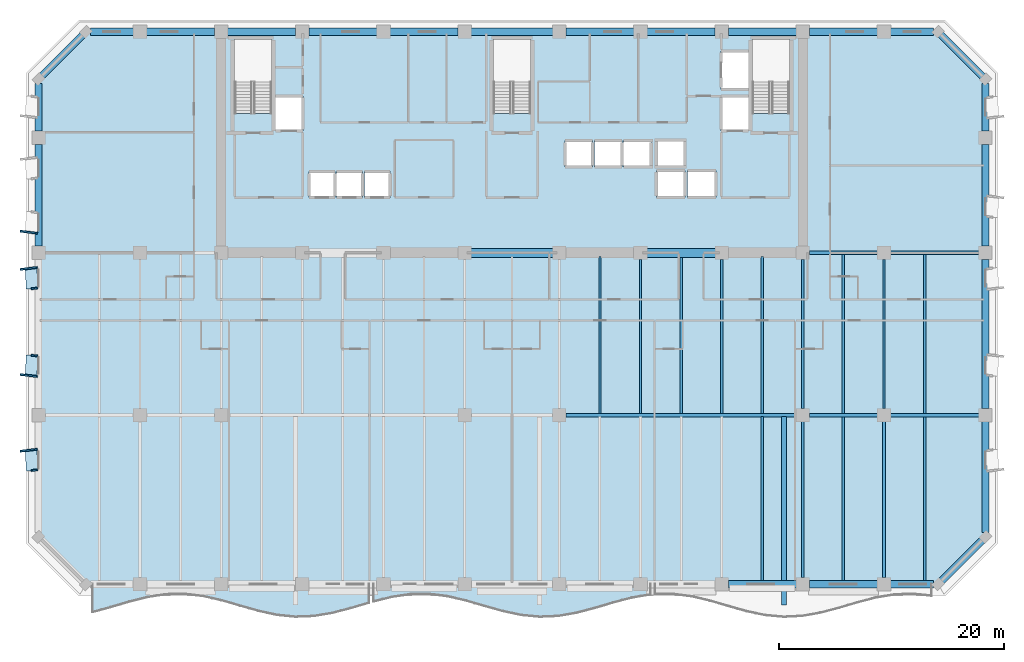
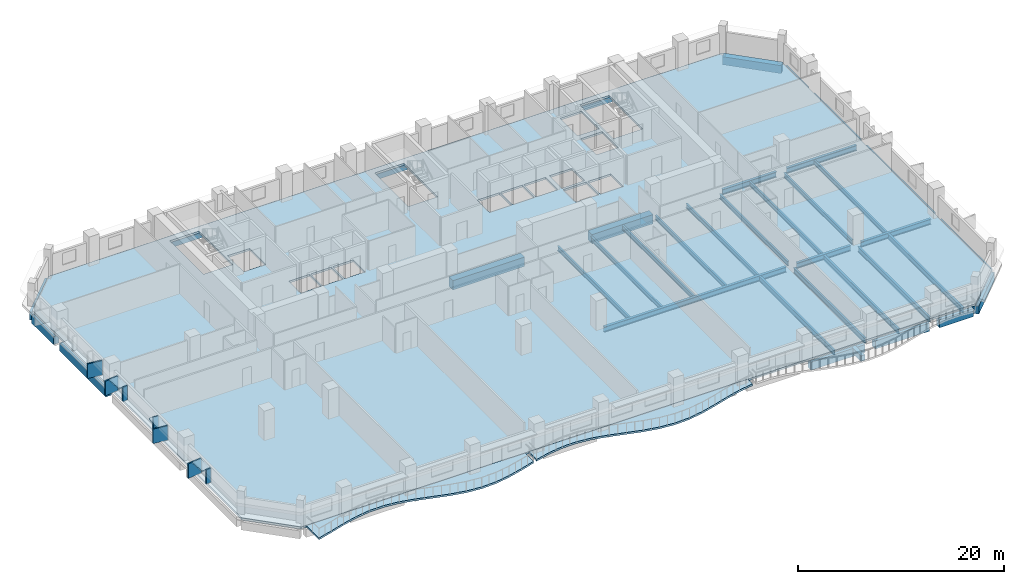
# One storey, part 2 of 15: 45 beams, 10 plates, 3 slabs.
"""IFC4 building model written with IfcOpenShell, lengths in metres."""

from ifc_helpers import new_model, si_unit, direction, frame, origin, origin_2d, place, context, subcontext, project, spatial, polyline, rectangle, i_section, outline, extrude, material, layer, layer_set, material_profile, profile_set, type_object, element, save


model = new_model("IFC4")

# Units and contexts
model_context = context("Model", 3, precision=1e-05, world=origin(), true_north=direction((0.0, 1.0)))
body_context = subcontext(model_context, "Body", "Model", "MODEL_VIEW")
ifc_project = project(units=[si_unit("LENGTHUNIT", "METRE"), si_unit("AREAUNIT", "SQUARE_METRE"), si_unit("VOLUMEUNIT", "CUBIC_METRE"), si_unit("PLANEANGLEUNIT", "RADIAN"), si_unit("MASSUNIT", "GRAM", prefix="KILO")], contexts=[model_context])

# Site, building, storey
site_placement = place(None, origin())
site = spatial("IfcSite", under=ifc_project, at=site_placement, CompositionType="ELEMENT")
building_placement = place(site_placement, origin())
building = spatial("IfcBuilding", under=site, at=building_placement, Name="Kaelvorn Grand Hotel", CompositionType="ELEMENT")
storey_placement = place(building_placement, frame((0.0, 0.0, 111.800048828125)))
storey = spatial("IfcBuildingStorey", under=building, at=storey_placement, Name="L26", CompositionType="ELEMENT", Elevation=111.800048828125)

# Beams
ifc_material_1 = material(Name="Steel S355", Category="steel")
ifc_material_profile_1 = material_profile(ifc_material_1, i_section(OverallWidth=0.300048828125, OverallDepth=0.64990234375, WebThickness=0.01611328125, FlangeThickness=0.031005859375, FilletRadius=0.027099609375, at=origin_2d()), Name="HEB 650")
ifc_profile_set_1 = profile_set([ifc_material_profile_1], Name="Steel S355")
beam_type_1 = type_object("IfcBeamType", Name="BM-G-HEB650-S355", PredefinedType="BEAM", material=ifc_profile_set_1)
beam_1_placement = place(storey_placement, frame((46.784912109375, 15.0, -0.56494140625), z_axis=(1.0, 0.0, 0.0), x_axis=(0.0, 1.0, 0.0)))
element("IfcBeam", 1, at=beam_1_placement, inside=storey, type_object=beam_type_1, Name="L26 Primary Spine Steel Girder G-15 05", PredefinedType="BEAM", context=body_context, shape_type="SweptSolid", body=[
    extrude(i_section(OverallWidth=0.300048828125, OverallDepth=0.64990234375, WebThickness=0.01611328125, FlangeThickness=0.031005859375, FilletRadius=0.027099609375, at=origin_2d()), origin(), (0.0, 0.0, 1.0), 20.43017578125),
])
beam_2_placement = place(storey_placement, frame((68.385009765625, 15.0, -0.56494140625), z_axis=(1.0, 0.0, 0.0), x_axis=(0.0, 1.0, 0.0)))
element("IfcBeam", 2, at=beam_2_placement, inside=storey, type_object=beam_type_1, Name="L26 Primary Spine Steel Girder G-15 06", PredefinedType="BEAM", context=body_context, shape_type="SweptSolid", body=[
    extrude(i_section(OverallWidth=0.300048828125, OverallDepth=0.64990234375, WebThickness=0.01611328125, FlangeThickness=0.031005859375, FilletRadius=0.027099609375, at=origin_2d()), origin(), (0.0, 0.0, 1.0), 6.030029296875),
])
beam_3_placement = place(storey_placement, frame((75.5849609375, 15.0, -0.56494140625), z_axis=(1.0, 0.0, 0.0), x_axis=(0.0, 1.0, 0.0)))
element("IfcBeam", 3, at=beam_3_placement, inside=storey, type_object=beam_type_1, Name="L26 Primary Spine Steel Girder G-15 07", PredefinedType="BEAM", context=body_context, shape_type="SweptSolid", body=[
    extrude(i_section(OverallWidth=0.300048828125, OverallDepth=0.64990234375, WebThickness=0.01611328125, FlangeThickness=0.031005859375, FilletRadius=0.027099609375, at=origin_2d()), origin(), (0.0, 0.0, 1.0), 7.830078125),
])
beam_4_placement = place(storey_placement, frame((68.385009765625, 29.39990234375, -0.56494140625), z_axis=(1.0, 0.0, 0.0), x_axis=(0.0, 1.0, 0.0)))
element("IfcBeam", 4, at=beam_4_placement, inside=storey, type_object=beam_type_1, Name="L26 East Core Wing Steel Girder G-29E 01", PredefinedType="BEAM", context=body_context, shape_type="SweptSolid", body=[
    extrude(i_section(OverallWidth=0.300048828125, OverallDepth=0.64990234375, WebThickness=0.01611328125, FlangeThickness=0.031005859375, FilletRadius=0.027099609375, at=origin_2d()), origin(), (0.0, 0.0, 1.0), 6.030029296875),
])
beam_5_placement = place(storey_placement, frame((75.5849609375, 29.39990234375, -0.56494140625), z_axis=(1.0, 0.0, 0.0), x_axis=(0.0, 1.0, 0.0)))
element("IfcBeam", 5, at=beam_5_placement, inside=storey, type_object=beam_type_1, Name="L26 East Core Wing Steel Girder G-29E 02", PredefinedType="BEAM", context=body_context, shape_type="SweptSolid", body=[
    extrude(i_section(OverallWidth=0.300048828125, OverallDepth=0.64990234375, WebThickness=0.01611328125, FlangeThickness=0.031005859375, FilletRadius=0.027099609375, at=origin_2d()), origin(), (0.0, 0.0, 1.0), 7.830078125),
])
ifc_material_profile_2 = material_profile(ifc_material_1, i_section(OverallWidth=0.209228515625, OverallDepth=0.533203125, WebThickness=0.010009765625, FlangeThickness=0.015625, FilletRadius=0.0126953125, at=origin_2d()), Name="UB 533x210x92")
ifc_profile_set_2 = profile_set([ifc_material_profile_2], Name="Steel S355")
beam_type_2 = type_object("IfcBeamType", Name="BM-J-UB533-S355", PredefinedType="JOIST", material=ifc_profile_set_2)
beam_6_placement = place(storey_placement, frame((49.800048828125, 15.135009765625, -0.506591796875), z_axis=(0.0, 1.0, 0.0), x_axis=(-1.0, 0.0, 0.0)))
element("IfcBeam", 6, at=beam_6_placement, inside=storey, type_object=beam_type_2, Name="L26 Composite Floor Joist JM-14", PredefinedType="JOIST", context=body_context, shape_type="SweptSolid", body=[
    extrude(i_section(OverallWidth=0.209228515625, OverallDepth=0.533203125, WebThickness=0.010009765625, FlangeThickness=0.015625, FilletRadius=0.0126953125, at=origin_2d()), origin(), (0.0, 0.0, 1.0), 13.925048828125),
])
beam_7_placement = place(storey_placement, frame((53.39990234375, 15.135009765625, -0.506591796875), z_axis=(0.0, 1.0, 0.0), x_axis=(-1.0, 0.0, 0.0)))
element("IfcBeam", 7, at=beam_7_placement, inside=storey, type_object=beam_type_2, Name="L26 Composite Floor Joist JM-15", PredefinedType="JOIST", context=body_context, shape_type="SweptSolid", body=[
    extrude(i_section(OverallWidth=0.209228515625, OverallDepth=0.533203125, WebThickness=0.010009765625, FlangeThickness=0.015625, FilletRadius=0.0126953125, at=origin_2d()), origin(), (0.0, 0.0, 1.0), 13.679931640625),
])
beam_8_placement = place(storey_placement, frame((57.0, 15.135009765625, -0.506591796875), z_axis=(0.0, 1.0, 0.0), x_axis=(-1.0, 0.0, 0.0)))
element("IfcBeam", 8, at=beam_8_placement, inside=storey, type_object=beam_type_2, Name="L26 Composite Floor Joist JM-16", PredefinedType="JOIST", context=body_context, shape_type="SweptSolid", body=[
    extrude(i_section(OverallWidth=0.209228515625, OverallDepth=0.533203125, WebThickness=0.010009765625, FlangeThickness=0.015625, FilletRadius=0.0126953125, at=origin_2d()), origin(), (0.0, 0.0, 1.0), 13.925048828125),
])
beam_9_placement = place(storey_placement, frame((60.60009765625, 15.135009765625, -0.506591796875), z_axis=(0.0, 1.0, 0.0), x_axis=(-1.0, 0.0, 0.0)))
element("IfcBeam", 9, at=beam_9_placement, inside=storey, type_object=beam_type_2, Name="L26 Composite Floor Joist JM-17", PredefinedType="JOIST", context=body_context, shape_type="SweptSolid", body=[
    extrude(i_section(OverallWidth=0.209228515625, OverallDepth=0.533203125, WebThickness=0.010009765625, FlangeThickness=0.015625, FilletRadius=0.0126953125, at=origin_2d()), origin(), (0.0, 0.0, 1.0), 13.679931640625),
])
beam_10_placement = place(storey_placement, frame((64.199951171875, 15.135009765625, -0.506591796875), z_axis=(0.0, 1.0, 0.0), x_axis=(-1.0, 0.0, 0.0)))
element("IfcBeam", 10, at=beam_10_placement, inside=storey, type_object=beam_type_2, Name="L26 Composite Floor Joist JM-18", PredefinedType="JOIST", context=body_context, shape_type="SweptSolid", body=[
    extrude(i_section(OverallWidth=0.209228515625, OverallDepth=0.533203125, WebThickness=0.010009765625, FlangeThickness=0.015625, FilletRadius=0.0126953125, at=origin_2d()), origin(), (0.0, 0.0, 1.0), 13.925048828125),
])
beam_11_placement = place(storey_placement, frame((67.800048828125, 15.5849609375, -0.506591796875), z_axis=(0.0, 1.0, 0.0), x_axis=(-1.0, 0.0, 0.0)))
element("IfcBeam", 11, at=beam_11_placement, inside=storey, type_object=beam_type_2, Name="L26 Composite Floor Joist JM-19", PredefinedType="JOIST", context=body_context, shape_type="SweptSolid", body=[
    extrude(i_section(OverallWidth=0.209228515625, OverallDepth=0.533203125, WebThickness=0.010009765625, FlangeThickness=0.015625, FilletRadius=0.0126953125, at=origin_2d()), origin(), (0.0, 0.0, 1.0), 13.22998046875),
])
beam_12_placement = place(storey_placement, frame((71.39990234375, 15.135009765625, -0.506591796875), z_axis=(0.0, 1.0, 0.0), x_axis=(-1.0, 0.0, 0.0)))
element("IfcBeam", 12, at=beam_12_placement, inside=storey, type_object=beam_type_2, Name="L26 Composite Floor Joist JM-20", PredefinedType="JOIST", context=body_context, shape_type="SweptSolid", body=[
    extrude(i_section(OverallWidth=0.209228515625, OverallDepth=0.533203125, WebThickness=0.010009765625, FlangeThickness=0.015625, FilletRadius=0.0126953125, at=origin_2d()), origin(), (0.0, 0.0, 1.0), 14.1298828125),
])
beam_13_placement = place(storey_placement, frame((75.0, 15.5849609375, -0.506591796875), z_axis=(0.0, 1.0, 0.0), x_axis=(-1.0, 0.0, 0.0)))
element("IfcBeam", 13, at=beam_13_placement, inside=storey, type_object=beam_type_2, Name="L26 Composite Floor Joist JM-21", PredefinedType="JOIST", context=body_context, shape_type="SweptSolid", body=[
    extrude(i_section(OverallWidth=0.209228515625, OverallDepth=0.533203125, WebThickness=0.010009765625, FlangeThickness=0.015625, FilletRadius=0.0126953125, at=origin_2d()), origin(), (0.0, 0.0, 1.0), 13.22998046875),
])
beam_14_placement = place(storey_placement, frame((78.60009765625, 15.135009765625, -0.506591796875), z_axis=(0.0, 1.0, 0.0), x_axis=(-1.0, 0.0, 0.0)))
element("IfcBeam", 14, at=beam_14_placement, inside=storey, type_object=beam_type_2, Name="L26 Composite Floor Joist JM-22", PredefinedType="JOIST", context=body_context, shape_type="SweptSolid", body=[
    extrude(i_section(OverallWidth=0.209228515625, OverallDepth=0.533203125, WebThickness=0.010009765625, FlangeThickness=0.015625, FilletRadius=0.0126953125, at=origin_2d()), origin(), (0.0, 0.0, 1.0), 14.1298828125),
])
ifc_material_profile_3 = material_profile(ifc_material_1, i_section(OverallWidth=0.22900390625, OverallDepth=0.6123046875, WebThickness=0.011962890625, FlangeThickness=0.01953125, FilletRadius=0.0126953125, at=origin_2d()), Name="UB 610x229x125")
ifc_profile_set_3 = profile_set([ifc_material_profile_3], Name="Steel S355")
beam_type_3 = type_object("IfcBeamType", Name="BM-J-UB610-S355", PredefinedType="JOIST", material=ifc_profile_set_3)
beam_15_placement = place(storey_placement, frame((64.199951171875, 0.31005859375, -0.546142578125), z_axis=(0.0, 1.0, 0.0), x_axis=(-1.0, 0.0, 0.0)))
element("IfcBeam", 15, at=beam_15_placement, inside=storey, type_object=beam_type_3, Name="L26 Composite Floor Joist JS-18", PredefinedType="JOIST", context=body_context, shape_type="SweptSolid", body=[
    extrude(i_section(OverallWidth=0.22900390625, OverallDepth=0.6123046875, WebThickness=0.011962890625, FlangeThickness=0.01953125, FilletRadius=0.0126953125, at=origin_2d()), origin(), (0.0, 0.0, 1.0), 14.554931640625),
])
beam_16_placement = place(storey_placement, frame((67.800048828125, 0.5849609375, -0.546142578125), z_axis=(0.0, 1.0, 0.0), x_axis=(-1.0, 0.0, 0.0)))
element("IfcBeam", 16, at=beam_16_placement, inside=storey, type_object=beam_type_3, Name="L26 Composite Floor Joist JS-19", PredefinedType="JOIST", context=body_context, shape_type="SweptSolid", body=[
    extrude(i_section(OverallWidth=0.22900390625, OverallDepth=0.6123046875, WebThickness=0.011962890625, FlangeThickness=0.01953125, FilletRadius=0.0126953125, at=origin_2d()), origin(), (0.0, 0.0, 1.0), 13.830078125),
])
beam_17_placement = place(storey_placement, frame((71.39990234375, 0.31005859375, -0.546142578125), z_axis=(0.0, 1.0, 0.0), x_axis=(-1.0, 0.0, 0.0)))
element("IfcBeam", 17, at=beam_17_placement, inside=storey, type_object=beam_type_3, Name="L26 Composite Floor Joist JS-20", PredefinedType="JOIST", context=body_context, shape_type="SweptSolid", body=[
    extrude(i_section(OverallWidth=0.22900390625, OverallDepth=0.6123046875, WebThickness=0.011962890625, FlangeThickness=0.01953125, FilletRadius=0.0126953125, at=origin_2d()), origin(), (0.0, 0.0, 1.0), 14.554931640625),
])
beam_18_placement = place(storey_placement, frame((75.0, 0.5849609375, -0.546142578125), z_axis=(0.0, 1.0, 0.0), x_axis=(-1.0, 0.0, 0.0)))
element("IfcBeam", 18, at=beam_18_placement, inside=storey, type_object=beam_type_3, Name="L26 Composite Floor Joist JS-21", PredefinedType="JOIST", context=body_context, shape_type="SweptSolid", body=[
    extrude(i_section(OverallWidth=0.22900390625, OverallDepth=0.6123046875, WebThickness=0.011962890625, FlangeThickness=0.01953125, FilletRadius=0.0126953125, at=origin_2d()), origin(), (0.0, 0.0, 1.0), 13.830078125),
])
beam_19_placement = place(storey_placement, frame((78.60009765625, 0.31005859375, -0.546142578125), z_axis=(0.0, 1.0, 0.0), x_axis=(-1.0, 0.0, 0.0)))
element("IfcBeam", 19, at=beam_19_placement, inside=storey, type_object=beam_type_3, Name="L26 Composite Floor Joist JS-22", PredefinedType="JOIST", context=body_context, shape_type="SweptSolid", body=[
    extrude(i_section(OverallWidth=0.22900390625, OverallDepth=0.6123046875, WebThickness=0.011962890625, FlangeThickness=0.01953125, FilletRadius=0.0126953125, at=origin_2d()), origin(), (0.0, 0.0, 1.0), 14.554931640625),
])
ifc_material_2 = material(Name="Concrete C60/75", Category="concrete")
ifc_material_profile_4 = material_profile(ifc_material_2, rectangle(XDim=0.800048828125, YDim=1.10009765625, at=origin_2d()), Name="RC LINTEL 800x1100")
ifc_profile_set_4 = profile_set([ifc_material_profile_4], Name="Concrete C60/75")
beam_type_4 = type_object("IfcBeamType", Name="BM-LIN-800x1100-C60", PredefinedType="LINTEL", material=ifc_profile_set_4)
beam_20_placement = place(storey_placement, frame((37.97998046875, 29.39990234375, -0.7900390625), z_axis=(1.0, 0.0, 0.0), x_axis=(0.0, 1.0, 0.0)))
element("IfcBeam", 20, at=beam_20_placement, inside=storey, type_object=beam_type_4, Name="L26 Rear-Core Coupling Lintel Beam CB1-02", PredefinedType="LINTEL", context=body_context, shape_type="SweptSolid", body=[
    extrude(rectangle(XDim=0.800048828125, YDim=1.10009765625, at=origin_2d()), origin(), (0.0, 0.0, 1.0), 8.0400390625),
])
beam_21_placement = place(storey_placement, frame((53.580078125, 29.39990234375, -0.7900390625), z_axis=(1.0, 0.0, 0.0), x_axis=(0.0, 1.0, 0.0)))
element("IfcBeam", 21, at=beam_21_placement, inside=storey, type_object=beam_type_4, Name="L26 Rear-Core Coupling Lintel Beam CB1-03", PredefinedType="LINTEL", context=body_context, shape_type="SweptSolid", body=[
    extrude(rectangle(XDim=0.800048828125, YDim=1.10009765625, at=origin_2d()), origin(), (0.0, 0.0, 1.0), 6.83984375),
])
ifc_material_3 = material(Name="Concrete C40/50", Category="concrete")
ifc_material_profile_5 = material_profile(ifc_material_3, rectangle(XDim=0.449951171875, YDim=0.64990234375, at=origin_2d()), Name="RC RIB 450x650")
ifc_profile_set_5 = profile_set([ifc_material_profile_5], Name="Concrete C40/50")
beam_type_5 = type_object("IfcBeamType", Name="BM-RIB-450x650-C40", PredefinedType="SPANDREL", material=ifc_profile_set_5)
beam_22_placement = place(storey_placement, frame((66.115478515625, -1.85009765625, -0.545166015625), z_axis=(0.0, 1.0, 0.0), x_axis=(-1.0, 0.0, 0.0)))
element("IfcBeam", 22, at=beam_22_placement, inside=storey, type_object=beam_type_5, Name="L26 Cantilevered Balcony Back-Span Rib RB1-3", PredefinedType="SPANDREL", context=body_context, shape_type="SweptSolid", body=[
    extrude(rectangle(XDim=0.449951171875, YDim=0.64990234375, at=origin_2d()), origin(), (0.0, 0.0, 1.0), 16.715087890625),
])
ifc_material_profile_6 = material_profile(ifc_material_2, rectangle(XDim=0.64990234375, YDim=0.949951171875, at=origin_2d()), Name="RC SPANDREL 650x950")
ifc_profile_set_6 = profile_set([ifc_material_profile_6], Name="Concrete C60/75")
beam_type_6 = type_object("IfcBeamType", Name="BM-SP-650x950-C60", PredefinedType="SPANDREL", material=ifc_profile_set_6)
for number, where, z_axis, x_axis, name in (
    (23, (61.18505859375, 0.0, -0.715087890625), (1.0, 0.0, 0.0), (0.0, 1.0, 0.0), "L26 South Perimeter Spandrel 09"),
    (24, (68.385009765625, 0.0, -0.715087890625), (1.0, 0.0, 0.0), (0.0, 1.0, 0.0), "L26 South Perimeter Spandrel 10"),
):
    element("IfcBeam", number, at=place(storey_placement, frame(where, z_axis=z_axis, x_axis=x_axis)), inside=storey, type_object=beam_type_6, Name=name, PredefinedType="SPANDREL", context=body_context, shape_type="SweptSolid", body=[
        extrude(rectangle(XDim=0.64990234375, YDim=0.949951171875, at=origin_2d()), origin(), (0.0, 0.0, 1.0), 6.030029296875),
    ])
for number, where, z_axis, x_axis, name in (
    (25, (75.5849609375, 0.0, -0.715087890625), (1.0, 0.0, 0.0), (0.0, 1.0, 0.0), "L26 South Perimeter Spandrel 11"),
    (26, (4.60498046875, 49.0, -0.715087890625), (1.0, 0.0, 0.0), (0.0, 1.0, 0.0), "L26 North Perimeter Spandrel 01"),
):
    element("IfcBeam", number, at=place(storey_placement, frame(where, z_axis=z_axis, x_axis=x_axis)), inside=storey, type_object=beam_type_6, Name=name, PredefinedType="SPANDREL", context=body_context, shape_type="SweptSolid", body=[
        extrude(rectangle(XDim=0.64990234375, YDim=0.949951171875, at=origin_2d()), origin(), (0.0, 0.0, 1.0), 3.81005859375),
    ])
for number, where, z_axis, x_axis, name in (
    (27, (9.5849609375, 49.0, -0.715087890625), (1.0, 0.0, 0.0), (0.0, 1.0, 0.0), "L26 North Perimeter Spandrel 02"),
    (28, (16.784912109375, 49.0, -0.715087890625), (1.0, 0.0, 0.0), (0.0, 1.0, 0.0), "L26 North Perimeter Spandrel 03"),
):
    element("IfcBeam", number, at=place(storey_placement, frame(where, z_axis=z_axis, x_axis=x_axis)), inside=storey, type_object=beam_type_6, Name=name, PredefinedType="SPANDREL", context=body_context, shape_type="SweptSolid", body=[
        extrude(rectangle(XDim=0.64990234375, YDim=0.949951171875, at=origin_2d()), origin(), (0.0, 0.0, 1.0), 6.030029296875),
    ])
beam_23_placement = place(storey_placement, frame((23.985107421875, 49.0, -0.715087890625), z_axis=(1.0, 0.0, 0.0), x_axis=(0.0, 1.0, 0.0)))
element("IfcBeam", 29, at=beam_23_placement, inside=storey, type_object=beam_type_6, Name="L26 North Perimeter Spandrel 04", PredefinedType="SPANDREL", context=body_context, shape_type="SweptSolid", body=[
    extrude(rectangle(XDim=0.64990234375, YDim=0.949951171875, at=origin_2d()), origin(), (0.0, 0.0, 1.0), 6.02978515625),
])
beam_24_placement = place(storey_placement, frame((31.18505859375, 49.0, -0.715087890625), z_axis=(1.0, 0.0, 0.0), x_axis=(0.0, 1.0, 0.0)))
element("IfcBeam", 30, at=beam_24_placement, inside=storey, type_object=beam_type_6, Name="L26 North Perimeter Spandrel 05", PredefinedType="SPANDREL", context=body_context, shape_type="SweptSolid", body=[
    extrude(rectangle(XDim=0.64990234375, YDim=0.949951171875, at=origin_2d()), origin(), (0.0, 0.0, 1.0), 6.030029296875),
])
beam_25_placement = place(storey_placement, frame((38.385009765625, 49.0, -0.715087890625), z_axis=(1.0, 0.0, 0.0), x_axis=(0.0, 1.0, 0.0)))
element("IfcBeam", 31, at=beam_25_placement, inside=storey, type_object=beam_type_6, Name="L26 North Perimeter Spandrel 06", PredefinedType="SPANDREL", context=body_context, shape_type="SweptSolid", body=[
    extrude(rectangle(XDim=0.64990234375, YDim=0.949951171875, at=origin_2d()), origin(), (0.0, 0.0, 1.0), 7.22998046875),
])
beam_26_placement = place(storey_placement, frame((46.784912109375, 49.0, -0.715087890625), z_axis=(1.0, 0.0, 0.0), x_axis=(0.0, 1.0, 0.0)))
element("IfcBeam", 32, at=beam_26_placement, inside=storey, type_object=beam_type_6, Name="L26 North Perimeter Spandrel 07", PredefinedType="SPANDREL", context=body_context, shape_type="SweptSolid", body=[
    extrude(rectangle(XDim=0.64990234375, YDim=0.949951171875, at=origin_2d()), origin(), (0.0, 0.0, 1.0), 6.030029296875),
])
beam_27_placement = place(storey_placement, frame((53.985107421875, 49.0, -0.715087890625), z_axis=(1.0, 0.0, 0.0), x_axis=(0.0, 1.0, 0.0)))
element("IfcBeam", 33, at=beam_27_placement, inside=storey, type_object=beam_type_6, Name="L26 North Perimeter Spandrel 08", PredefinedType="SPANDREL", context=body_context, shape_type="SweptSolid", body=[
    extrude(rectangle(XDim=0.64990234375, YDim=0.949951171875, at=origin_2d()), origin(), (0.0, 0.0, 1.0), 6.02978515625),
])
for number, where, z_axis, x_axis, name in (
    (34, (61.18505859375, 49.0, -0.715087890625), (1.0, 0.0, 0.0), (0.0, 1.0, 0.0), "L26 North Perimeter Spandrel 09"),
    (35, (68.385009765625, 49.0, -0.715087890625), (1.0, 0.0, 0.0), (0.0, 1.0, 0.0), "L26 North Perimeter Spandrel 10"),
):
    element("IfcBeam", number, at=place(storey_placement, frame(where, z_axis=z_axis, x_axis=x_axis)), inside=storey, type_object=beam_type_6, Name=name, PredefinedType="SPANDREL", context=body_context, shape_type="SweptSolid", body=[
        extrude(rectangle(XDim=0.64990234375, YDim=0.949951171875, at=origin_2d()), origin(), (0.0, 0.0, 1.0), 6.030029296875),
    ])
beam_28_placement = place(storey_placement, frame((75.5849609375, 49.0, -0.715087890625), z_axis=(1.0, 0.0, 0.0), x_axis=(0.0, 1.0, 0.0)))
element("IfcBeam", 36, at=beam_28_placement, inside=storey, type_object=beam_type_6, Name="L26 North Perimeter Spandrel 11", PredefinedType="SPANDREL", context=body_context, shape_type="SweptSolid", body=[
    extrude(rectangle(XDim=0.64990234375, YDim=0.949951171875, at=origin_2d()), origin(), (0.0, 0.0, 1.0), 3.81005859375),
])
beam_29_placement = place(storey_placement, frame((0.0, 29.985107421875, -0.715087890625), z_axis=(0.0, 1.0, 0.0), x_axis=(-1.0, 0.0, 0.0)))
element("IfcBeam", 37, at=beam_29_placement, inside=storey, type_object=beam_type_6, Name="L26 West Perimeter Spandrel 03", PredefinedType="SPANDREL", context=body_context, shape_type="SweptSolid", body=[
    extrude(rectangle(XDim=0.64990234375, YDim=0.949951171875, at=origin_2d()), origin(), (0.0, 0.0, 1.0), 9.02978515625),
])
beam_30_placement = place(storey_placement, frame((0.0, 40.18505859375, -0.715087890625), z_axis=(0.0, 1.0, 0.0), x_axis=(-1.0, 0.0, 0.0)))
element("IfcBeam", 38, at=beam_30_placement, inside=storey, type_object=beam_type_6, Name="L26 West Perimeter Spandrel 04", PredefinedType="SPANDREL", context=body_context, shape_type="SweptSolid", body=[
    extrude(rectangle(XDim=0.64990234375, YDim=0.949951171875, at=origin_2d()), origin(), (0.0, 0.0, 1.0), 4.2099609375),
])
beam_31_placement = place(storey_placement, frame((84.0, 4.60498046875, -0.715087890625), z_axis=(0.0, 1.0, 0.0), x_axis=(-1.0, 0.0, 0.0)))
element("IfcBeam", 39, at=beam_31_placement, inside=storey, type_object=beam_type_6, Name="L26 East Perimeter Spandrel 01", PredefinedType="SPANDREL", context=body_context, shape_type="SweptSolid", body=[
    extrude(rectangle(XDim=0.64990234375, YDim=0.949951171875, at=origin_2d()), origin(), (0.0, 0.0, 1.0), 9.81005859375),
])
beam_32_placement = place(storey_placement, frame((84.0, 15.5849609375, -0.715087890625), z_axis=(0.0, 1.0, 0.0), x_axis=(-1.0, 0.0, 0.0)))
element("IfcBeam", 40, at=beam_32_placement, inside=storey, type_object=beam_type_6, Name="L26 East Perimeter Spandrel 02", PredefinedType="SPANDREL", context=body_context, shape_type="SweptSolid", body=[
    extrude(rectangle(XDim=0.64990234375, YDim=0.949951171875, at=origin_2d()), origin(), (0.0, 0.0, 1.0), 13.22998046875),
])
beam_33_placement = place(storey_placement, frame((84.0, 29.985107421875, -0.715087890625), z_axis=(0.0, 1.0, 0.0), x_axis=(-1.0, 0.0, 0.0)))
element("IfcBeam", 41, at=beam_33_placement, inside=storey, type_object=beam_type_6, Name="L26 East Perimeter Spandrel 03", PredefinedType="SPANDREL", context=body_context, shape_type="SweptSolid", body=[
    extrude(rectangle(XDim=0.64990234375, YDim=0.949951171875, at=origin_2d()), origin(), (0.0, 0.0, 1.0), 9.02978515625),
])
beam_34_placement = place(storey_placement, frame((84.0, 40.18505859375, -0.715087890625), z_axis=(0.0, 1.0, 0.0), x_axis=(-1.0, 0.0, 0.0)))
element("IfcBeam", 42, at=beam_34_placement, inside=storey, type_object=beam_type_6, Name="L26 East Perimeter Spandrel 04", PredefinedType="SPANDREL", context=body_context, shape_type="SweptSolid", body=[
    extrude(rectangle(XDim=0.64990234375, YDim=0.949951171875, at=origin_2d()), origin(), (0.0, 0.0, 1.0), 4.2099609375),
])
for number, where, z_axis, x_axis, name in (
    (43, (79.800048828125, 0.0, -0.715087890625), (0.707106781187, 0.707106781187, 0.0), (-0.707106781187, 0.707106781187, 0.0), "L26 Chamfer Spandrel Beam 1"),
    (44, (84.0, 44.800048828125, -0.715087890625), (-0.707106781187, 0.707106781187, 0.0), (-0.707106781187, -0.707106781187, 0.0), "L26 Chamfer Spandrel Beam 2"),
    (45, (4.199951171875, 49.0, -0.715087890625), (-0.707106781187, -0.707106781187, 0.0), (0.707106781187, -0.707106781187, 0.0), "L26 Chamfer Spandrel Beam 3"),
):
    element("IfcBeam", number, at=place(storey_placement, frame(where, z_axis=z_axis, x_axis=x_axis)), inside=storey, type_object=beam_type_6, Name=name, PredefinedType="SPANDREL", context=body_context, shape_type="SweptSolid", body=[
        extrude(rectangle(XDim=0.64990234375, YDim=0.949951171875, at=origin_2d()), origin(), (0.0, 0.0, 1.0), 5.939697265625),
    ])

# Plates
ifc_material_4 = material(Name="Precast concrete C45/55", Category="concrete")
ifc_layer_1 = layer(ifc_material_4, 0.159912109375)
ifc_layer_set_1 = layer_set([ifc_layer_1], Name="Precast concrete C45/55")
plate_type_1 = type_object("IfcPlateType", Name="PL-FRAME-DEEP-1550", PredefinedType="USERDEFINED", material=ifc_layer_set_1)
for number, where, z_axis, x_axis, name in (
    (46, (-0.864990234375, 11.889892578125, 0.68994140625), (0.0, 0.0, 1.0), (-0.121869343405, 0.992546151641, 0.0), "L26 Tilted Precast Window Frame Fin R-W01"),
    (47, (-0.864990234375, 18.510009765625, 0.68994140625), (0.0, 0.0, 1.0), (0.121869343405, 0.992546151641, 0.0), "L26 Tilted Precast Window Frame Fin L-W02"),
    (48, (-0.864990234375, 28.014892578125, 0.68994140625), (0.0, 0.0, 1.0), (-0.121869343405, 0.992546151641, 0.0), "L26 Tilted Precast Window Frame Fin R-W03"),
    (49, (-0.864990234375, 31.22509765625, 0.68994140625), (0.0, 0.0, 1.0), (0.121869343405, 0.992546151641, 0.0), "L26 Tilted Precast Window Frame Fin L-W04"),
):
    element("IfcPlate", number, at=place(storey_placement, frame(where, z_axis=z_axis, x_axis=x_axis)), inside=storey, type_object=plate_type_1, Name=name, ObjectType="FLANGE_PLATE", PredefinedType="USERDEFINED", context=body_context, shape_type="SweptSolid", body=[
        extrude(rectangle(XDim=0.159912109375, YDim=1.550048828125, at=origin_2d()), origin(), (0.0, 0.0, 1.0), 1.719970703125),
    ])
ifc_layer_2 = layer(ifc_material_4, 0.159912109375)
ifc_layer_set_2 = layer_set([ifc_layer_2], Name="Precast concrete C45/55")
plate_type_2 = type_object("IfcPlateType", Name="PL-FRAME-HEAD-1050", PredefinedType="USERDEFINED", material=ifc_layer_set_2)
for number, where, z_axis, x_axis, name in (
    (50, (-0.614990234375, 11.0, 2.25), (0.0, 0.0, 1.0), (-0.054950179912, 0.998489097451, 0.0), "L26 Precast Window Frame Head Hood H-W01"),
    (51, (-0.614990234375, 19.39990234375, 2.25), (0.0, 0.0, 1.0), (0.054950179912, 0.998489097451, 0.0), "L26 Precast Window Frame Head Hood H-W02"),
    (52, (-0.614990234375, 27.125, 2.25), (0.0, 0.0, 1.0), (-0.054950179912, 0.998489097451, 0.0), "L26 Precast Window Frame Head Hood H-W03"),
):
    element("IfcPlate", number, at=place(storey_placement, frame(where, z_axis=z_axis, x_axis=x_axis)), inside=storey, type_object=plate_type_2, Name=name, ObjectType="FLANGE_PLATE", PredefinedType="USERDEFINED", context=body_context, shape_type="SweptSolid", body=[
        extrude(rectangle(XDim=1.860107421875, YDim=1.050048828125, at=origin_2d()), origin(), (0.0, 0.0, 1.0), 0.159912109375),
    ])
ifc_layer_3 = layer(ifc_material_4, 0.159912109375)
ifc_layer_set_3 = layer_set([ifc_layer_3], Name="Precast concrete C45/55")
plate_type_3 = type_object("IfcPlateType", Name="PL-FRAME-SHAL-550", PredefinedType="USERDEFINED", material=ifc_layer_set_3)
for number, where, z_axis, x_axis, name in (
    (53, (-0.364990234375, 10.110107421875, 0.68994140625), (0.0, 0.0, 1.0), (-0.121869343405, 0.992546151641, 0.0), "L26 Tilted Precast Window Frame Fin L-W01"),
    (54, (-0.364990234375, 20.2900390625, 0.68994140625), (0.0, 0.0, 1.0), (0.121869343405, 0.992546151641, 0.0), "L26 Tilted Precast Window Frame Fin R-W02"),
    (55, (-0.364990234375, 26.235107421875, 0.68994140625), (0.0, 0.0, 1.0), (-0.121869343405, 0.992546151641, 0.0), "L26 Tilted Precast Window Frame Fin L-W03"),
):
    element("IfcPlate", number, at=place(storey_placement, frame(where, z_axis=z_axis, x_axis=x_axis)), inside=storey, type_object=plate_type_3, Name=name, ObjectType="FLANGE_PLATE", PredefinedType="USERDEFINED", context=body_context, shape_type="SweptSolid", body=[
        extrude(rectangle(XDim=0.159912109375, YDim=0.550048828125, at=origin_2d()), origin(), (0.0, 0.0, 1.0), 1.719970703125),
    ])

# Slabs
ifc_layer_4 = layer(ifc_material_3, 0.219970703125)
ifc_layer_set_4 = layer_set([ifc_layer_4], Name="Concrete C40/50")
slab_type_1 = type_object("IfcSlabType", Name="SLB-BALC-220-C40", PredefinedType="FLOOR", material=ifc_layer_set_4)
slab_1_placement = place(storey_placement, frame((0.0, 0.0, -0.219970703125)))
element("IfcSlab", 56, at=slab_1_placement, inside=storey, type_object=slab_type_1, Name="L26 Scalloped Wave Balcony Slab 1", PredefinedType="FLOOR", context=body_context, shape_type="SweptSolid", body=[
    extrude(outline(polyline([(4.800048828125, -2.4775390625), (6.435546875, -2.03076171875), (8.071044921875, -1.549560546875), (9.706787109375, -1.140380859375), (11.34228515625, -0.89453125), (12.977783203125, -0.866455078125), (14.61328125, -1.0625), (16.248779296875, -1.438720703125), (17.884521484375, -1.912109375), (19.52001953125, -2.377197265625), (21.155517578125, -2.730712890625), (22.791015625, -2.89404296875), (24.4267578125, -2.831298828125), (26.062255859375, -2.555908203125), (27.69775390625, -2.12939453125), (29.333251953125, -1.646240234375), (29.333251953125, 0.0), (4.800048828125, 0.0), (4.800048828125, -2.4775390625)])), origin(), (0.0, 0.0, 1.0), 0.219970703125),
])
slab_2_placement = place(storey_placement, frame((0.0, 0.0, -0.219970703125)))
element("IfcSlab", 57, at=slab_2_placement, inside=storey, type_object=slab_type_1, Name="L26 Scalloped Wave Balcony Slab 2", PredefinedType="FLOOR", context=body_context, shape_type="SweptSolid", body=[
    extrude(outline(polyline([(29.7333984375, -1.531982421875), (31.368896484375, -1.127685546875), (33.00439453125, -0.889404296875), (34.639892578125, -0.869873046875), (36.275634765625, -1.073974609375), (37.9111328125, -1.45556640625), (39.546630859375, -1.9306640625), (41.18212890625, -2.393310546875), (42.81787109375, -2.74072265625), (44.453369140625, -2.89599609375), (46.0888671875, -2.824462890625), (47.724365234375, -2.5419921875), (49.360107421875, -2.111328125), (50.99560546875, -1.62841796875), (52.631103515625, -1.199951171875), (54.2666015625, -0.921630859375), (54.2666015625, 0.0), (29.7333984375, 0.0), (29.7333984375, -1.531982421875)])), origin(), (0.0, 0.0, 1.0), 0.219970703125),
])
ifc_layer_5 = layer(ifc_material_3, 0.239990234375)
ifc_layer_set_5 = layer_set([ifc_layer_5], Name="Concrete C40/50")
slab_type_2 = type_object("IfcSlabType", Name="SLB-FLR-240-C40", PredefinedType="FLOOR", material=ifc_layer_set_5)
slab_3_placement = place(storey_placement, frame((0.0, 0.0, -0.239990234375)))
element("IfcSlab", 58, at=slab_3_placement, inside=storey, type_object=slab_type_2, Name="L26 Indoor Suspended Floor Slab", PredefinedType="FLOOR", context=body_context, shape_type="SweptSolid", body=[
    extrude(outline(polyline([(4.199951171875, 0.0), (79.800048828125, 0.0), (84.0, 4.199951171875), (84.0, 44.800048828125), (79.800048828125, 49.0), (4.199951171875, 49.0), (0.0, 44.800048828125), (0.0, 4.199951171875), (4.199951171875, 0.0)]), holes=[polyline([(17.39990234375, 41.760009765625), (17.39990234375, 48.300048828125), (20.679931640625, 48.300048828125), (20.679931640625, 41.760009765625), (17.39990234375, 41.760009765625)]), polyline([(40.360107421875, 41.760009765625), (40.360107421875, 48.300048828125), (43.639892578125, 48.300048828125), (43.639892578125, 41.760009765625), (40.360107421875, 41.760009765625)]), polyline([(63.320068359375, 41.760009765625), (63.320068359375, 48.300048828125), (66.60009765625, 48.300048828125), (66.60009765625, 41.760009765625), (63.320068359375, 41.760009765625)]), polyline([(24.0, 34.300048828125), (24.0, 36.60009765625), (26.300048828125, 36.60009765625), (26.300048828125, 34.300048828125), (24.0, 34.300048828125)]), polyline([(26.449951171875, 34.300048828125), (26.449951171875, 36.60009765625), (28.75, 36.60009765625), (28.75, 34.300048828125), (26.449951171875, 34.300048828125)]), polyline([(28.89990234375, 34.300048828125), (28.89990234375, 36.60009765625), (31.199951171875, 36.60009765625), (31.199951171875, 34.300048828125), (28.89990234375, 34.300048828125)]), polyline([(46.699951171875, 37.0), (46.699951171875, 39.35009765625), (49.14990234375, 39.35009765625), (49.14990234375, 37.0), (46.699951171875, 37.0)]), polyline([(49.300048828125, 37.0), (49.300048828125, 39.35009765625), (51.75, 39.35009765625), (51.75, 37.0), (49.300048828125, 37.0)]), polyline([(51.89990234375, 37.0), (51.89990234375, 39.35009765625), (54.35009765625, 39.35009765625), (54.35009765625, 37.0), (51.89990234375, 37.0)]), polyline([(54.800048828125, 34.300048828125), (54.800048828125, 36.699951171875), (57.35009765625, 36.699951171875), (57.35009765625, 34.300048828125), (54.800048828125, 34.300048828125)]), polyline([(57.550048828125, 34.300048828125), (57.550048828125, 36.699951171875), (60.10009765625, 36.699951171875), (60.10009765625, 34.300048828125), (57.550048828125, 34.300048828125)]), polyline([(54.800048828125, 37.0), (54.800048828125, 39.39990234375), (57.35009765625, 39.39990234375), (57.35009765625, 37.0), (54.800048828125, 37.0)]), polyline([(21.0, 40.199951171875), (21.0, 43.300048828125), (23.449951171875, 43.300048828125), (23.449951171875, 40.199951171875), (21.0, 40.199951171875)]), polyline([(60.550048828125, 40.199951171875), (60.550048828125, 43.300048828125), (63.0, 43.300048828125), (63.0, 40.199951171875), (60.550048828125, 40.199951171875)]), polyline([(60.550048828125, 43.89990234375), (60.550048828125, 47.300048828125), (63.0, 47.300048828125), (63.0, 43.89990234375), (60.550048828125, 43.89990234375)])]), origin(), (0.0, 0.0, 1.0), 0.239990234375),
])

save(model, "model.ifc")
